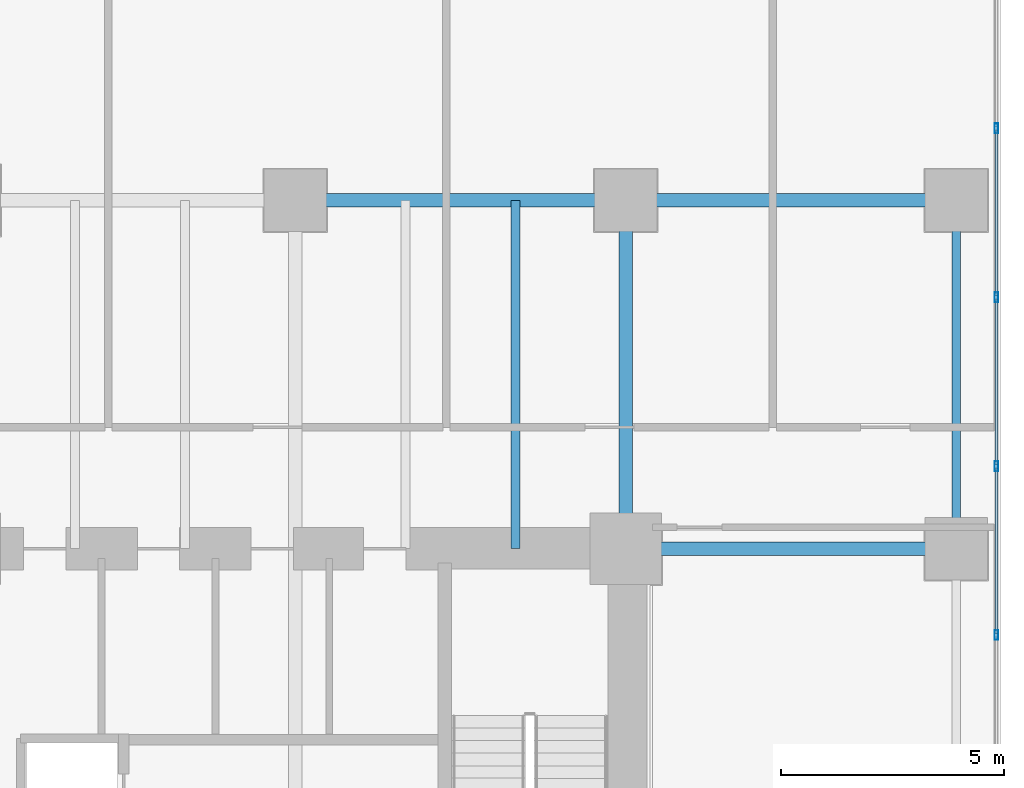
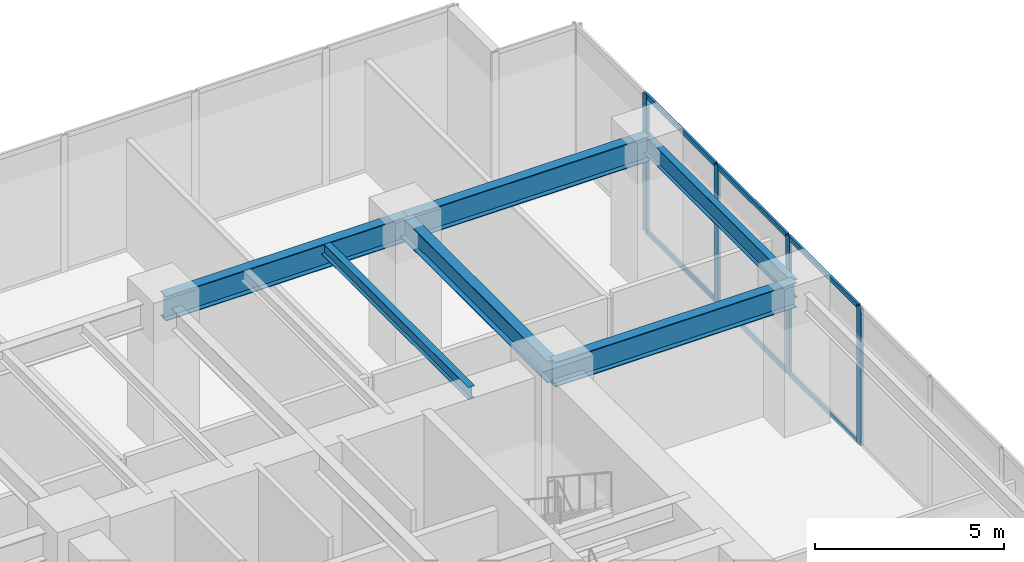
# One storey, part 26 of 39: 10 members, 6 beams, 1 element without a shape of its own.
"""IFC4 building model written with IfcOpenShell, lengths in metres."""

import ifcopenshell
import ifcopenshell.guid

model = None  # the IFC model being written
_history = None  # IfcOwnerHistory: only IFC2X3 demands one
_inside = {}  # id of a spatial element -> (the spatial element, [elements in it])
_under = {}  # id of a project, library or spatial element -> (it, [spatial elements below it])
_declared = {}  # id of a project -> (the project, [libraries it declares])
_typed = {}  # id of a type object -> (the type object, [elements of that type])
_made_of = {}  # id of a material, layer set ... -> (it, [elements and type objects made of it])


def new_model(schema):
    """Start an empty IFC model of exactly this schema.

    Asked for "IFC4X3", IfcOpenShell would pick the latest addendum, in which some entities
    have other attributes; the version numbers below select the first issue.
    IFC2X3 requires an IfcOwnerHistory on every rooted entity: one is made here for all.
    """
    global model, _history
    if schema == "IFC4X3":
        model = ifcopenshell.file(schema_version=(4, 3, 0, 0))
    else:
        model = ifcopenshell.file(schema=schema)
    _inside.clear()
    _under.clear()
    _declared.clear()
    _typed.clear()
    _made_of.clear()
    _history = None
    if model.schema == "IFC2X3":
        org = make("IfcOrganization", Name="unknown")
        user = make(
            "IfcPersonAndOrganization",
            ThePerson=make("IfcPerson", FamilyName="unknown"),
            TheOrganization=org,
        )
        app = make(
            "IfcApplication",
            ApplicationDeveloper=org,
            Version="unknown",
            ApplicationFullName="unknown",
            ApplicationIdentifier="unknown",
        )
        _history = make(
            "IfcOwnerHistory",
            OwningUser=user,
            OwningApplication=app,
            ChangeAction="ADDED",
            CreationDate=0,
        )
    return model


def make(cls, **values):
    """One entity of the class cls with the attributes given. An attribute that is None is left unset."""
    return model.create_entity(
        cls, **{name: value for name, value in values.items() if value is not None}
    )


def rooted(cls, **values):
    """An entity with a GlobalId (a new one), such as an element, a storey or a relation."""
    return make(cls, GlobalId=ifcopenshell.guid.new(), OwnerHistory=_history, **values)


def si_unit(unit_type, name, prefix=None):
    """IfcSIUnit, for example si_unit("LENGTHUNIT", "METRE", prefix="MILLI")."""
    return make("IfcSIUnit", UnitType=unit_type, Prefix=prefix, Name=name)


def assignment(units):
    """IfcUnitAssignment: the units of a project."""
    return None if units is None else make("IfcUnitAssignment", Units=units)


def point(xyz):
    """IfcCartesianPoint."""
    return None if xyz is None else make("IfcCartesianPoint", Coordinates=xyz)


def direction(xyz):
    """IfcDirection."""
    return None if xyz is None else make("IfcDirection", DirectionRatios=xyz)


def frame(location, z_axis=None, x_axis=None):
    """IfcAxis2Placement3D, a coordinate frame: its origin and axes. An axis left out is left unset."""
    return make(
        "IfcAxis2Placement3D",
        Location=point(location),
        Axis=direction(z_axis),
        RefDirection=direction(x_axis),
    )


def frame_2d(location, x_axis=None):
    """IfcAxis2Placement2D, a coordinate frame in the plane: its origin and x axis."""
    return make(
        "IfcAxis2Placement2D", Location=point(location), RefDirection=direction(x_axis)
    )


def origin():
    """The frame at (0, 0, 0) with its axes left unset."""
    return frame((0.0, 0.0, 0.0))


def origin_2d():
    """The frame at (0, 0) in the plane with its x axis left unset."""
    return frame_2d((0.0, 0.0))


def place(relative_to, where):
    """IfcLocalPlacement: puts the frame where relative to a parent placement (None: the world)."""
    return make(
        "IfcLocalPlacement", PlacementRelTo=relative_to, RelativePlacement=where
    )


def context(
    kind, dimensions, precision=None, world=None, true_north=None, identifier=None
):
    """IfcGeometricRepresentationContext, for example the 3D "Model" context."""
    return make(
        "IfcGeometricRepresentationContext",
        ContextIdentifier=identifier,
        ContextType=kind,
        CoordinateSpaceDimension=dimensions,
        Precision=precision,
        WorldCoordinateSystem=world,
        TrueNorth=true_north,
    )


def subcontext(parent, identifier, kind, view, scale=None):
    """IfcGeometricRepresentationSubContext, for example "Body" below "Model"."""
    return make(
        "IfcGeometricRepresentationSubContext",
        ContextIdentifier=identifier,
        ContextType=kind,
        ParentContext=parent,
        TargetScale=scale,
        TargetView=view,
    )


def project(units=None, contexts=None):
    """IfcProject with its units and contexts."""
    return rooted(
        "IfcProject",
        Name="project",
        RepresentationContexts=contexts,
        UnitsInContext=assignment(units),
    )


def spatial(cls, under=None, at=None, **own):
    """A site, building, storey or space (cls), placed at a placement, below another one or the project."""
    s = rooted(cls, ObjectPlacement=at, **own)
    if under is not None:
        _under.setdefault(under.id(), (under, []))[1].append(s)
    return s


def profile(cls, at=None, kind="AREA", **sizes):
    """A parametric profile (cls). Its sizes go by their IFC names, for example OverallWidth=200.0."""
    return make(cls, ProfileType=kind, Position=at, **sizes)


def hollow_rectangle(**sizes):
    """IfcRectangleHollowProfileDef."""
    return profile("IfcRectangleHollowProfileDef", **sizes)


def i_section(**sizes):
    """IfcIShapeProfileDef."""
    return profile("IfcIShapeProfileDef", **sizes)


def extrude(swept, where, along, depth):
    """IfcExtrudedAreaSolid: the profile swept, set in the frame where, extruded along a direction by depth."""
    return make(
        "IfcExtrudedAreaSolid",
        SweptArea=swept,
        Position=where,
        ExtrudedDirection=direction(along),
        Depth=depth,
    )


def shape(context_of_items, identifier, shape_type, items):
    """IfcShapeRepresentation: the items that make up one representation, for example the "Body"."""
    return make(
        "IfcShapeRepresentation",
        ContextOfItems=context_of_items,
        RepresentationIdentifier=identifier,
        RepresentationType=shape_type,
        Items=items,
    )


def source(mapping_origin, context_of_items, identifier, shape_type, items):
    """IfcRepresentationMap: a shape defined once, which mapped items show again and again."""
    return make(
        "IfcRepresentationMap",
        MappingOrigin=mapping_origin,
        MappedRepresentation=shape(context_of_items, identifier, shape_type, items),
    )


def transform(
    local_origin,
    x_axis=None,
    y_axis=None,
    z_axis=None,
    scale=None,
    scale2=None,
    scale3=None,
    uniform=True,
):
    """IfcCartesianTransformationOperator3D, or its non-uniform kind. x_axis, y_axis, z_axis: its Axis1, 2, 3."""
    if uniform:
        return make(
            "IfcCartesianTransformationOperator3D",
            Axis1=direction(x_axis),
            Axis2=direction(y_axis),
            LocalOrigin=point(local_origin),
            Scale=scale,
            Axis3=direction(z_axis),
        )
    return make(
        "IfcCartesianTransformationOperator3DnonUniform",
        Axis1=direction(x_axis),
        Axis2=direction(y_axis),
        LocalOrigin=point(local_origin),
        Scale=scale,
        Axis3=direction(z_axis),
        Scale2=scale2,
        Scale3=scale3,
    )


def mapped(mapping_source, mapping_target):
    """IfcMappedItem: shows the shape of a source again, moved by a transform."""
    return make(
        "IfcMappedItem", MappingSource=mapping_source, MappingTarget=mapping_target
    )


def material(Name=None, Category=None):
    """IfcMaterial."""
    return make("IfcMaterial", Name=Name, Category=Category)


def layer(
    of_material, thickness, ventilated=None, Name=None, Category=None, Priority=None
):
    """IfcMaterialLayer: one layer of a wall or slab, of a material (None: an air gap)."""
    return make(
        "IfcMaterialLayer",
        Material=of_material,
        LayerThickness=thickness,
        IsVentilated=ventilated,
        Name=Name,
        Category=Category,
        Priority=Priority,
    )


def layer_set(layers, Name=None):
    """IfcMaterialLayerSet."""
    return make("IfcMaterialLayerSet", MaterialLayers=layers, LayerSetName=Name)


def material_profile(
    of_material, cross_section, Name=None, Category=None, Priority=None
):
    """IfcMaterialProfile: a cross section and its material."""
    return make(
        "IfcMaterialProfile",
        Name=Name,
        Material=of_material,
        Profile=cross_section,
        Priority=Priority,
        Category=Category,
    )


def profile_set(profiles, Name=None, composite=None):
    """IfcMaterialProfileSet."""
    return make(
        "IfcMaterialProfileSet",
        Name=Name,
        MaterialProfiles=profiles,
        CompositeProfile=composite,
    )


def made_of(thing, what):
    """Note that an element or type object is made of a material, layer set ...; save() writes the relation."""
    if what is not None:
        _made_of.setdefault(what.id(), (what, []))[1].append(thing)
    return thing


def type_object(cls, material=None, **own):
    """A type object (cls), such as IfcWallType, which elements share."""
    return made_of(rooted(cls, **own), material)


def type_shapes(of_type, sources):
    """Give a type object the sources (RepresentationMaps) that its elements show as mapped items."""
    of_type.RepresentationMaps = sources


def element(
    cls,
    number,
    at=None,
    inside=None,
    cuts=None,
    type_object=None,
    material=None,
    context=None,
    identifier="Body",
    shape_type=None,
    held_by="IfcProductDefinitionShape",
    body=None,
    shapes=None,
    **own,
):
    """One element of the class cls, such as IfcWall. Its Tag is "e" and its number.

    at: its placement. inside: the storey or other place that contains it. cuts: it is an
    opening in that element (IfcRelVoidsElement). A single representation is given by context,
    identifier, shape_type and body (its items); several are given by shapes. held_by: the class
    of the entity that holds the representations. save() writes the other relations.
    """
    e = rooted(cls, Tag="e%d" % number, ObjectPlacement=at, **own)
    if body is not None:
        shapes = [shape(context, identifier, shape_type, body)]
    if shapes is not None:
        e.Representation = make(held_by, Representations=shapes)
    if inside is not None:
        _inside.setdefault(inside.id(), (inside, []))[1].append(e)
    if cuts is not None:
        rooted(
            "IfcRelVoidsElement", RelatingBuildingElement=cuts, RelatedOpeningElement=e
        )
    if type_object is not None:
        _typed.setdefault(type_object.id(), (type_object, []))[1].append(e)
    return made_of(e, material)


def aggregate(whole, parts):
    """IfcRelAggregates: a whole, such as a stair, and the parts it consists of."""
    return rooted("IfcRelAggregates", RelatingObject=whole, RelatedObjects=parts)


def save(model, path):
    """Write the relations noted so far, then the file.

    IfcRelAggregates (storeys below a building ...), IfcRelContainedInSpatialStructure (elements
    in a storey), IfcRelDefinesByType, IfcRelAssociatesMaterial and IfcRelDeclares: one each for
    every whole, place, type object, material and project.
    """
    for whole, parts in _under.values():
        aggregate(whole, parts)
    for where, things in _inside.values():
        rooted(
            "IfcRelContainedInSpatialStructure",
            RelatedElements=things,
            RelatingStructure=where,
        )
    for kind, things in _typed.values():
        rooted("IfcRelDefinesByType", RelatedObjects=things, RelatingType=kind)
    for what, things in _made_of.values():
        rooted("IfcRelAssociatesMaterial", RelatedObjects=things, RelatingMaterial=what)
    for by, libraries in _declared.values():
        rooted("IfcRelDeclares", RelatingContext=by, RelatedDefinitions=libraries)
    model.write(path)


model = new_model("IFC4")

# Units and contexts
model_context = context("Model", 3, precision=1e-05, world=origin(), true_north=direction((0.0, 1.0)))
body_context = subcontext(model_context, "Body", "Model", "MODEL_VIEW")
ifc_project = project(units=[si_unit("LENGTHUNIT", "METRE"), si_unit("AREAUNIT", "SQUARE_METRE"), si_unit("VOLUMEUNIT", "CUBIC_METRE"), si_unit("PLANEANGLEUNIT", "RADIAN"), si_unit("MASSUNIT", "GRAM", prefix="KILO")], contexts=[model_context])

# Site, building, storey
site_placement = place(None, origin())
site = spatial("IfcSite", under=ifc_project, at=site_placement, CompositionType="ELEMENT")
building_placement = place(site_placement, origin())
building = spatial("IfcBuilding", under=site, at=building_placement, Name="Haelvirn Gate Laboratories", CompositionType="ELEMENT")
storey_placement = place(building_placement, frame((0.0, 0.0, 15.0)))
storey = spatial("IfcBuildingStorey", under=building, at=storey_placement, Name="L04", CompositionType="ELEMENT", Elevation=15.0)

# Beams
ifc_material_1 = material(Name="Steel SM420", Category="steel")
ifc_material_profile_1 = material_profile(ifc_material_1, i_section(OverallWidth=0.300048828125, OverallDepth=0.800048828125, WebThickness=0.013916015625, FlangeThickness=0.02587890625, at=origin_2d()), Name="H-800x300x14x26")
ifc_profile_set_1 = profile_set([ifc_material_profile_1], Name="Steel SM420")
beam_type_1 = type_object("IfcBeamType", Name="BM-G-800", PredefinedType="BEAM", material=ifc_profile_set_1)
shared_shape_1 = source(origin(), body_context, "Body", "SweptSolid", [
    extrude(i_section(OverallWidth=0.300048828125, OverallDepth=0.800048828125, WebThickness=0.013916015625, FlangeThickness=0.02587890625, at=origin_2d()), origin(), (0.0, 0.0, 1.0), 7.400146484375),
])
for number, where, z_axis, x_axis, name in (
    (1, (67.39990234375, 33.800048828125, 4.050048828125), (1.0, 0.0, 0.0), (0.0, 1.0, 0.0), "L04 Primary Girder Y33.8 (67.4-74.8)"),
    (2, (67.39990234375, 41.60009765625, 4.050048828125), (1.0, 0.0, 0.0), (0.0, 1.0, 0.0), "L04 Primary Girder Y41.6 (67.4-74.8)"),
):
    element("IfcBeam", number, at=place(storey_placement, frame(where, z_axis=z_axis, x_axis=x_axis)), inside=storey, type_object=beam_type_1, Name=name, PredefinedType="BEAM", context=body_context, shape_type="MappedRepresentation", body=[
        mapped(shared_shape_1, transform((0.0, 0.0, 0.0), scale=1.0)),
    ])
shared_shape_2 = source(origin(), body_context, "Body", "SweptSolid", [
    extrude(i_section(OverallWidth=0.300048828125, OverallDepth=0.800048828125, WebThickness=0.013916015625, FlangeThickness=0.02587890625, at=origin_2d()), origin(), (0.0, 0.0, 1.0), 7.39990234375),
])
type_shapes(beam_type_1, [shared_shape_1, shared_shape_2])
beam_1_placement = place(storey_placement, frame((60.0, 41.60009765625, 4.050048828125), z_axis=(1.0, 0.0, 0.0), x_axis=(0.0, 1.0, 0.0)))
element("IfcBeam", 3, at=beam_1_placement, inside=storey, type_object=beam_type_1, Name="L04 Primary Girder Y41.6 (60.0-67.4)", PredefinedType="BEAM", context=body_context, shape_type="MappedRepresentation", body=[
    mapped(shared_shape_2, transform((0.0, 0.0, 0.0), scale=1.0)),
])
ifc_material_2 = material(Name="Steel SM355", Category="steel")
ifc_material_profile_2 = material_profile(ifc_material_2, i_section(OverallWidth=0.199951171875, OverallDepth=0.60009765625, WebThickness=0.010986328125, FlangeThickness=0.01708984375, at=origin_2d()), Name="H-600x200x11x17")
ifc_profile_set_2 = profile_set([ifc_material_profile_2], Name="Steel SM355")
beam_type_2 = type_object("IfcBeamType", Name="BM-SP-600", PredefinedType="SPANDREL", material=ifc_profile_set_2)
shared_shape_3 = source(origin(), body_context, "Body", "SweptSolid", [
    extrude(i_section(OverallWidth=0.199951171875, OverallDepth=0.60009765625, WebThickness=0.010986328125, FlangeThickness=0.01708984375, at=origin_2d()), origin(), (0.0, 0.0, 1.0), 7.800048828125),
])
type_shapes(beam_type_2, [shared_shape_3])
beam_2_placement = place(storey_placement, frame((74.800048828125, 33.800048828125, 4.14990234375), z_axis=(0.0, 1.0, 0.0), x_axis=(-1.0, 0.0, 0.0)))
element("IfcBeam", 4, at=beam_2_placement, inside=storey, type_object=beam_type_2, Name="L04 Perimeter Spandrel X74.8 (33.8-41.6)", PredefinedType="SPANDREL", context=body_context, shape_type="MappedRepresentation", body=[
    mapped(shared_shape_3, transform((0.0, 0.0, 0.0), scale=1.0)),
])
ifc_material_profile_3 = material_profile(ifc_material_2, i_section(OverallWidth=0.199951171875, OverallDepth=0.39990234375, WebThickness=0.008056640625, FlangeThickness=0.012939453125, at=origin_2d()), Name="H-400x200x8x13")
ifc_profile_set_3 = profile_set([ifc_material_profile_3], Name="Steel SM355")
beam_type_3 = type_object("IfcBeamType", Name="BM-J-400", PredefinedType="JOIST", material=ifc_profile_set_3)
shared_shape_4 = source(origin(), body_context, "Body", "SweptSolid", [
    extrude(i_section(OverallWidth=0.199951171875, OverallDepth=0.39990234375, WebThickness=0.008056640625, FlangeThickness=0.012939453125, at=origin_2d()), origin(), (0.0, 0.0, 1.0), 7.800048828125),
])
type_shapes(beam_type_3, [shared_shape_4])
beam_3_placement = place(storey_placement, frame((64.929931640625, 33.800048828125, 4.25), z_axis=(0.0, 1.0, 0.0), x_axis=(-1.0, 0.0, 0.0)))
element("IfcBeam", 5, at=beam_3_placement, inside=storey, type_object=beam_type_3, Name="L04 Composite Lab Joist North X64.93", PredefinedType="JOIST", context=body_context, shape_type="MappedRepresentation", body=[
    mapped(shared_shape_4, transform((0.0, 0.0, 0.0), scale=1.0)),
])
ifc_material_profile_4 = material_profile(ifc_material_2, i_section(OverallWidth=0.300048828125, OverallDepth=0.699951171875, WebThickness=0.012939453125, FlangeThickness=0.02392578125, at=origin_2d()), Name="H-700x300x13x24")
ifc_profile_set_4 = profile_set([ifc_material_profile_4], Name="Steel SM355")
beam_type_4 = type_object("IfcBeamType", Name="BM-G-700", PredefinedType="BEAM", material=ifc_profile_set_4)
shared_shape_5 = source(origin(), body_context, "Body", "SweptSolid", [
    extrude(i_section(OverallWidth=0.300048828125, OverallDepth=0.699951171875, WebThickness=0.012939453125, FlangeThickness=0.02392578125, at=origin_2d()), origin(), (0.0, 0.0, 1.0), 7.800048828125),
])
type_shapes(beam_type_4, [shared_shape_5])
beam_4_placement = place(storey_placement, frame((67.39990234375, 33.800048828125, 4.10009765625), z_axis=(0.0, 1.0, 0.0), x_axis=(-1.0, 0.0, 0.0)))
element("IfcBeam", 6, at=beam_4_placement, inside=storey, type_object=beam_type_4, Name="L04 Frame Girder X67.4 (33.8-41.6)", PredefinedType="BEAM", context=body_context, shape_type="MappedRepresentation", body=[
    mapped(shared_shape_5, transform((0.0, 0.0, 0.0), scale=1.0)),
])

# Curtain wall, members
ifc_material_3 = material(Name="Anodised bronze unitised aluminium & triple low-E glass", Category="aluminium")
ifc_layer = layer(ifc_material_3, 0.18798828125, Name="CW-SYS-1")
ifc_layer_set = layer_set([ifc_layer], Name="Anodised bronze unitised aluminium & triple low-E glass")
curtain_wall_type = type_object("IfcCurtainWallType", Name="CW-SYS-1", PredefinedType="NOTDEFINED", material=ifc_layer_set)
curtain_wall_placement = place(storey_placement, origin())
curtain_wall = element("IfcCurtainWall", 7, at=curtain_wall_placement, inside=storey, type_object=curtain_wall_type, Name="L04 Unitised Curtain Wall CW-L04-P1-E03", PredefinedType="NOTDEFINED")
ifc_material_4 = material(Name="Extruded aluminium 6063-T6 (anodised bronze)", Category="aluminium")
ifc_material_profile_5 = material_profile(ifc_material_4, hollow_rectangle(XDim=0.070068359375, YDim=0.159912109375, WallThickness=0.0048828125, at=origin_2d()), Name="CWT-160x70x5")
ifc_profile_set_5 = profile_set([ifc_material_profile_5], Name="Extruded aluminium 6063-T6 (anodised bronze)")
member_type_1 = type_object("IfcMemberType", Name="CWT-T160", PredefinedType="USERDEFINED", material=ifc_profile_set_5)
shared_shape_6 = source(origin(), body_context, "Body", "SweptSolid", [
    extrude(hollow_rectangle(XDim=0.070068359375, YDim=0.159912109375, WallThickness=0.0048828125, at=origin_2d()), origin(), (0.0, 0.0, 1.0), 3.703369140625),
])
type_shapes(member_type_1, [shared_shape_6])
member_1_placement = place(storey_placement, frame((75.699951171875, 31.90673828125, 0.034912109375), z_axis=(0.0, 1.0, 0.0), x_axis=(-1.0, 0.0, 0.0)))
member_1 = element("IfcMember", 8, at=member_1_placement, type_object=member_type_1, Name="CW1 transom 9.1", ObjectType="TRANSOM", PredefinedType="USERDEFINED", context=body_context, shape_type="MappedRepresentation", body=[
    mapped(shared_shape_6, transform((0.0, 0.0, 0.0), scale=1.0)),
])
member_2_placement = place(storey_placement, frame((75.699951171875, 31.90673828125, 4.4150390625), z_axis=(0.0, 1.0, 0.0), x_axis=(-1.0, 0.0, 0.0)))
member_2 = element("IfcMember", 9, at=member_2_placement, type_object=member_type_1, Name="CW1 transom 9.2", ObjectType="TRANSOM", PredefinedType="USERDEFINED", context=body_context, shape_type="MappedRepresentation", body=[
    mapped(shared_shape_6, transform((0.0, 0.0, 0.0), scale=1.0)),
])
member_3_placement = place(storey_placement, frame((75.699951171875, 35.68994140625, 0.034912109375), z_axis=(0.0, 1.0, 0.0), x_axis=(-1.0, 0.0, 0.0)))
member_3 = element("IfcMember", 10, at=member_3_placement, type_object=member_type_1, Name="CW1 transom 10.1", ObjectType="TRANSOM", PredefinedType="USERDEFINED", context=body_context, shape_type="MappedRepresentation", body=[
    mapped(shared_shape_6, transform((0.0, 0.0, 0.0), scale=1.0)),
])
member_4_placement = place(storey_placement, frame((75.699951171875, 35.68994140625, 4.4150390625), z_axis=(0.0, 1.0, 0.0), x_axis=(-1.0, 0.0, 0.0)))
member_4 = element("IfcMember", 11, at=member_4_placement, type_object=member_type_1, Name="CW1 transom 10.2", ObjectType="TRANSOM", PredefinedType="USERDEFINED", context=body_context, shape_type="MappedRepresentation", body=[
    mapped(shared_shape_6, transform((0.0, 0.0, 0.0), scale=1.0)),
])
member_5_placement = place(storey_placement, frame((75.699951171875, 39.473388671875, 0.034912109375), z_axis=(0.0, 1.0, 0.0), x_axis=(-1.0, 0.0, 0.0)))
member_5 = element("IfcMember", 12, at=member_5_placement, type_object=member_type_1, Name="CW1 transom 11.1", ObjectType="TRANSOM", PredefinedType="USERDEFINED", context=body_context, shape_type="MappedRepresentation", body=[
    mapped(shared_shape_6, transform((0.0, 0.0, 0.0), scale=1.0)),
])
member_6_placement = place(storey_placement, frame((75.699951171875, 39.473388671875, 4.4150390625), z_axis=(0.0, 1.0, 0.0), x_axis=(-1.0, 0.0, 0.0)))
member_6 = element("IfcMember", 13, at=member_6_placement, type_object=member_type_1, Name="CW1 transom 11.2", ObjectType="TRANSOM", PredefinedType="USERDEFINED", context=body_context, shape_type="MappedRepresentation", body=[
    mapped(shared_shape_6, transform((0.0, 0.0, 0.0), scale=1.0)),
])
ifc_material_profile_6 = material_profile(ifc_material_4, hollow_rectangle(XDim=0.080078125, YDim=0.219970703125, WallThickness=0.006103515625, at=origin_2d()), Name="CWM-220x80x6")
ifc_profile_set_6 = profile_set([ifc_material_profile_6], Name="Extruded aluminium 6063-T6 (anodised bronze)")
member_type_2 = type_object("IfcMemberType", Name="CWM-T220", PredefinedType="MULLION", material=ifc_profile_set_6)
shared_shape_7 = source(origin(), body_context, "Body", "SweptSolid", [
    extrude(hollow_rectangle(XDim=0.080078125, YDim=0.219970703125, WallThickness=0.006103515625, at=origin_2d()), origin(), (0.0, 0.0, 1.0), 4.449951171875),
])
type_shapes(member_type_2, [shared_shape_7])
member_7_placement = place(storey_placement, frame((75.699951171875, 31.86669921875, 0.0), z_axis=(0.0, 0.0, 1.0), x_axis=(-1.0, 0.0, 0.0)))
member_7 = element("IfcMember", 14, at=member_7_placement, type_object=member_type_2, Name="CW1 mullion 9", PredefinedType="MULLION", context=body_context, shape_type="MappedRepresentation", body=[
    mapped(shared_shape_7, transform((0.0, 0.0, 0.0), scale=1.0)),
])
member_8_placement = place(storey_placement, frame((75.699951171875, 35.64990234375, 0.0), z_axis=(0.0, 0.0, 1.0), x_axis=(-1.0, 0.0, 0.0)))
member_8 = element("IfcMember", 15, at=member_8_placement, type_object=member_type_2, Name="CW1 mullion 10", PredefinedType="MULLION", context=body_context, shape_type="MappedRepresentation", body=[
    mapped(shared_shape_7, transform((0.0, 0.0, 0.0), scale=1.0)),
])
member_9_placement = place(storey_placement, frame((75.699951171875, 39.433349609375, 0.0), z_axis=(0.0, 0.0, 1.0), x_axis=(-1.0, 0.0, 0.0)))
member_9 = element("IfcMember", 16, at=member_9_placement, type_object=member_type_2, Name="CW1 mullion 11", PredefinedType="MULLION", context=body_context, shape_type="MappedRepresentation", body=[
    mapped(shared_shape_7, transform((0.0, 0.0, 0.0), scale=1.0)),
])
member_10_placement = place(storey_placement, frame((75.699951171875, 43.216552734375, 0.0), z_axis=(0.0, 0.0, 1.0), x_axis=(-1.0, 0.0, 0.0)))
member_10 = element("IfcMember", 17, at=member_10_placement, type_object=member_type_2, Name="CW1 mullion 12", PredefinedType="MULLION", context=body_context, shape_type="MappedRepresentation", body=[
    mapped(shared_shape_7, transform((0.0, 0.0, 0.0), scale=1.0)),
])
aggregate(curtain_wall, [member_7, member_8, member_9, member_10, member_1, member_2, member_3, member_4, member_5, member_6])

save(model, "model.ifc")
